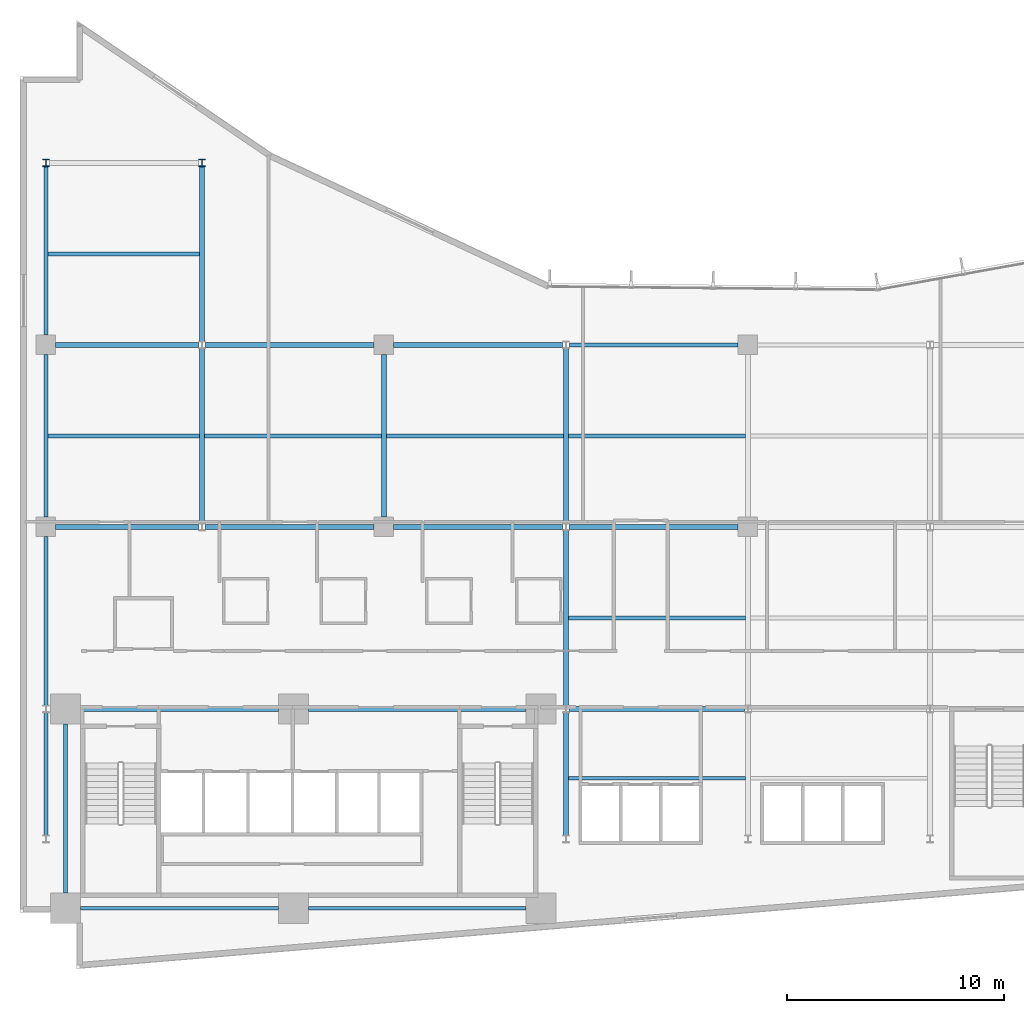
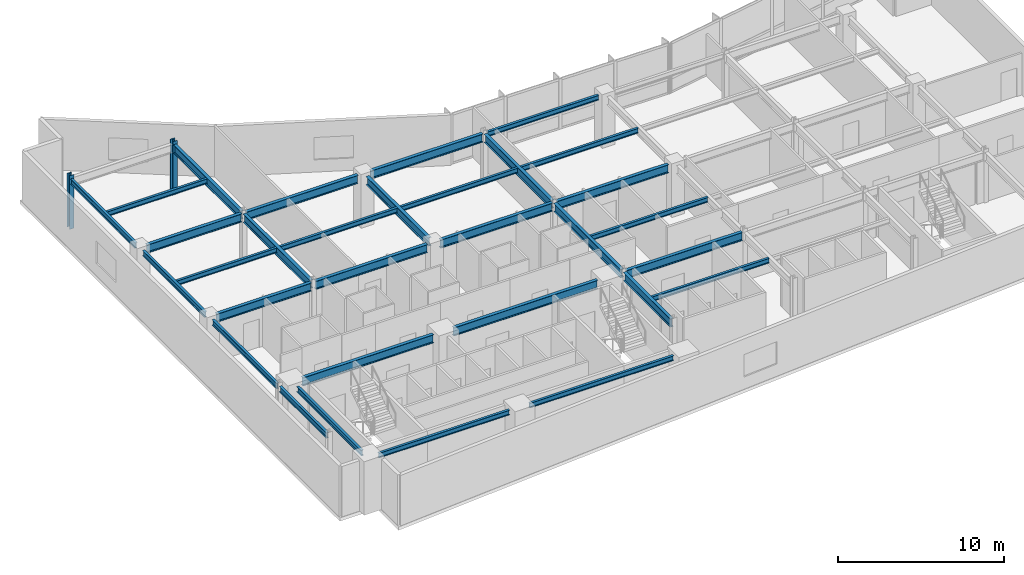
# One storey, part 3 of 18: 31 beams, 2 columns.
"""IFC4 building model written with IfcOpenShell, lengths in metres."""

from ifc_helpers import new_model, si_unit, direction, frame, origin, origin_2d, place, context, subcontext, project, spatial, i_section, extrude, material, material_profile, profile_set, type_object, element, save


model = new_model("IFC4")

# Units and contexts
model_context = context("Model", 3, precision=1e-05, world=origin(), true_north=direction((0.0, 1.0)))
body_context = subcontext(model_context, "Body", "Model", "MODEL_VIEW")
ifc_project = project(units=[si_unit("LENGTHUNIT", "METRE"), si_unit("AREAUNIT", "SQUARE_METRE"), si_unit("VOLUMEUNIT", "CUBIC_METRE"), si_unit("PLANEANGLEUNIT", "RADIAN"), si_unit("MASSUNIT", "GRAM", prefix="KILO")], contexts=[model_context])

# Site, building, storey
site_placement = place(None, origin())
site = spatial("IfcSite", under=ifc_project, at=site_placement, CompositionType="ELEMENT")
building_placement = place(site_placement, origin())
building = spatial("IfcBuilding", under=site, at=building_placement, Name="Varnakote Quay Hospital", CompositionType="ELEMENT")
storey_placement = place(building_placement, frame((0.0, 0.0, 69.89990234375)))
storey = spatial("IfcBuildingStorey", under=building, at=storey_placement, Name="L17", CompositionType="ELEMENT", Elevation=69.89990234375)

# Columns
ifc_material_1 = material(Name="Structural steel AS/NZS 3679.1 Grade 350 L0 (fy 340 MPa)", Category="steel")
ifc_material_profile_1 = material_profile(ifc_material_1, i_section(OverallWidth=0.31103515625, OverallDepth=0.326904296875, WebThickness=0.015625, FlangeThickness=0.02490234375, FilletRadius=0.0166015625, at=origin_2d()), Name="310UC158")
ifc_profile_set_1 = profile_set([ifc_material_profile_1], Name="Structural steel AS/NZS 3679.1 Grade 350 L0 (fy 340 MPa)")
column_type = type_object("IfcColumnType", Name="COL-STL-310UC158", PredefinedType="COLUMN", material=ifc_profile_set_1)
for number, where, z_axis, x_axis, name in (
    (1, (1.199951171875, 37.199951171875, 0.0), (0.0, 0.0, 1.0), (1.0, 0.0, 0.0), "L17 Structural Column C-1-37"),
    (2, (8.39990234375, 37.199951171875, 0.0), (0.0, 0.0, 1.0), (1.0, 0.0, 0.0), "L17 Structural Column C-8-37"),
):
    element("IfcColumn", number, at=place(storey_placement, frame(where, z_axis=z_axis, x_axis=x_axis)), inside=storey, type_object=column_type, Name=name, PredefinedType="COLUMN", context=body_context, shape_type="SweptSolid", body=[
        extrude(i_section(OverallWidth=0.31103515625, OverallDepth=0.326904296875, WebThickness=0.015625, FlangeThickness=0.02490234375, FilletRadius=0.0166015625, at=origin_2d()), origin(), (0.0, 0.0, 1.0), 3.9501953125),
    ])

# Beams
ifc_material_2 = material(Name="Structural steel AS/NZS 3679.1 Grade 350 L0 (fy 340 MPa)", Category="steel")
ifc_material_profile_2 = material_profile(ifc_material_2, i_section(OverallWidth=0.22900390625, OverallDepth=0.612060546875, WebThickness=0.011962890625, FlangeThickness=0.01953125, FilletRadius=0.013916015625, at=origin_2d()), Name="610UB125")
ifc_profile_set_2 = profile_set([ifc_material_profile_2], Name="Structural steel AS/NZS 3679.1 Grade 350 L0 (fy 340 MPa)")
beam_type_1 = type_object("IfcBeamType", Name="BM-STL-610UB125", PredefinedType="BEAM", material=ifc_profile_set_2)
beam_1_placement = place(storey_placement, frame((2.800048828125, 12.0, 3.404052734375), z_axis=(1.0, 0.0, 0.0), x_axis=(0.0, 1.0, 0.0)))
element("IfcBeam", 3, at=beam_1_placement, inside=storey, type_object=beam_type_1, Name="L17 Primary Floor Beam", PredefinedType="BEAM", context=body_context, shape_type="SweptSolid", body=[
    extrude(i_section(OverallWidth=0.22900390625, OverallDepth=0.612060546875, WebThickness=0.011962890625, FlangeThickness=0.01953125, FilletRadius=0.013916015625, at=origin_2d()), origin(), (0.0, 0.0, 1.0), 9.119873046875),
])
beam_2_placement = place(storey_placement, frame((13.320068359375, 12.0, 3.404052734375), z_axis=(1.0, 0.0, 0.0), x_axis=(0.0, 1.0, 0.0)))
element("IfcBeam", 4, at=beam_2_placement, inside=storey, type_object=beam_type_1, Name="L17 Primary Floor Beam", PredefinedType="BEAM", context=body_context, shape_type="SweptSolid", body=[
    extrude(i_section(OverallWidth=0.22900390625, OverallDepth=0.612060546875, WebThickness=0.011962890625, FlangeThickness=0.01953125, FilletRadius=0.013916015625, at=origin_2d()), origin(), (0.0, 0.0, 1.0), 10.030029296875),
])
beam_3_placement = place(storey_placement, frame((25.35546875, 12.0, 3.404052734375), z_axis=(1.0, 0.0, 0.0), x_axis=(0.0, 1.0, 0.0)))
element("IfcBeam", 5, at=beam_3_placement, inside=storey, type_object=beam_type_1, Name="L17 Primary Floor Beam", PredefinedType="BEAM", context=body_context, shape_type="SweptSolid", body=[
    extrude(i_section(OverallWidth=0.22900390625, OverallDepth=0.612060546875, WebThickness=0.011962890625, FlangeThickness=0.01953125, FilletRadius=0.013916015625, at=origin_2d()), origin(), (0.0, 0.0, 1.0), 8.089111328125),
])
beam_4_placement = place(storey_placement, frame((1.64990234375, 20.39990234375, 3.404052734375), z_axis=(1.0, 0.0, 0.0), x_axis=(0.0, 1.0, 0.0)))
element("IfcBeam", 6, at=beam_4_placement, inside=storey, type_object=beam_type_1, Name="L17 Primary Floor Beam", PredefinedType="BEAM", context=body_context, shape_type="SweptSolid", body=[
    extrude(i_section(OverallWidth=0.22900390625, OverallDepth=0.612060546875, WebThickness=0.011962890625, FlangeThickness=0.01953125, FilletRadius=0.013916015625, at=origin_2d()), origin(), (0.0, 0.0, 1.0), 6.594482421875),
])
beam_5_placement = place(storey_placement, frame((8.555419921875, 20.39990234375, 3.404052734375), z_axis=(1.0, 0.0, 0.0), x_axis=(0.0, 1.0, 0.0)))
element("IfcBeam", 7, at=beam_5_placement, inside=storey, type_object=beam_type_1, Name="L17 Primary Floor Beam", PredefinedType="BEAM", context=body_context, shape_type="SweptSolid", body=[
    extrude(i_section(OverallWidth=0.22900390625, OverallDepth=0.612060546875, WebThickness=0.011962890625, FlangeThickness=0.01953125, FilletRadius=0.013916015625, at=origin_2d()), origin(), (0.0, 0.0, 1.0), 7.794677734375),
])
for number, where, z_axis, x_axis, name in (
    (8, (17.25, 20.39990234375, 3.404052734375), (1.0, 0.0, 0.0), (0.0, 1.0, 0.0), "L17 Primary Floor Beam"),
    (9, (25.35546875, 20.39990234375, 3.404052734375), (1.0, 0.0, 0.0), (0.0, 1.0, 0.0), "L17 Primary Floor Beam"),
):
    element("IfcBeam", number, at=place(storey_placement, frame(where, z_axis=z_axis, x_axis=x_axis)), inside=storey, type_object=beam_type_1, Name=name, PredefinedType="BEAM", context=body_context, shape_type="SweptSolid", body=[
        extrude(i_section(OverallWidth=0.22900390625, OverallDepth=0.612060546875, WebThickness=0.011962890625, FlangeThickness=0.01953125, FilletRadius=0.013916015625, at=origin_2d()), origin(), (0.0, 0.0, 1.0), 7.79443359375),
    ])
beam_6_placement = place(storey_placement, frame((1.64990234375, 28.800048828125, 3.404052734375), z_axis=(1.0, 0.0, 0.0), x_axis=(0.0, 1.0, 0.0)))
element("IfcBeam", 10, at=beam_6_placement, inside=storey, type_object=beam_type_1, Name="L17 Primary Floor Beam", PredefinedType="BEAM", context=body_context, shape_type="SweptSolid", body=[
    extrude(i_section(OverallWidth=0.22900390625, OverallDepth=0.612060546875, WebThickness=0.011962890625, FlangeThickness=0.01953125, FilletRadius=0.013916015625, at=origin_2d()), origin(), (0.0, 0.0, 1.0), 6.594482421875),
])
beam_7_placement = place(storey_placement, frame((8.555419921875, 28.800048828125, 3.404052734375), z_axis=(1.0, 0.0, 0.0), x_axis=(0.0, 1.0, 0.0)))
element("IfcBeam", 11, at=beam_7_placement, inside=storey, type_object=beam_type_1, Name="L17 Primary Floor Beam", PredefinedType="BEAM", context=body_context, shape_type="SweptSolid", body=[
    extrude(i_section(OverallWidth=0.22900390625, OverallDepth=0.612060546875, WebThickness=0.011962890625, FlangeThickness=0.01953125, FilletRadius=0.013916015625, at=origin_2d()), origin(), (0.0, 0.0, 1.0), 7.794677734375),
])
beam_8_placement = place(storey_placement, frame((17.25, 28.800048828125, 3.404052734375), z_axis=(1.0, 0.0, 0.0), x_axis=(0.0, 1.0, 0.0)))
element("IfcBeam", 12, at=beam_8_placement, inside=storey, type_object=beam_type_1, Name="L17 Primary Floor Beam", PredefinedType="BEAM", context=body_context, shape_type="SweptSolid", body=[
    extrude(i_section(OverallWidth=0.22900390625, OverallDepth=0.612060546875, WebThickness=0.011962890625, FlangeThickness=0.01953125, FilletRadius=0.013916015625, at=origin_2d()), origin(), (0.0, 0.0, 1.0), 7.79443359375),
])
beam_9_placement = place(storey_placement, frame((8.39990234375, 20.5634765625, 3.404052734375), z_axis=(0.0, 1.0, 0.0), x_axis=(-1.0, 0.0, 0.0)))
element("IfcBeam", 13, at=beam_9_placement, inside=storey, type_object=beam_type_1, Name="L17 Primary Tie Beam", PredefinedType="BEAM", context=body_context, shape_type="SweptSolid", body=[
    extrude(i_section(OverallWidth=0.22900390625, OverallDepth=0.612060546875, WebThickness=0.011962890625, FlangeThickness=0.01953125, FilletRadius=0.013916015625, at=origin_2d()), origin(), (0.0, 0.0, 1.0), 8.072998046875),
])
beam_10_placement = place(storey_placement, frame((8.39990234375, 28.96337890625, 3.404052734375), z_axis=(0.0, 1.0, 0.0), x_axis=(-1.0, 0.0, 0.0)))
element("IfcBeam", 14, at=beam_10_placement, inside=storey, type_object=beam_type_1, Name="L17 Primary Tie Beam", PredefinedType="BEAM", context=body_context, shape_type="SweptSolid", body=[
    extrude(i_section(OverallWidth=0.22900390625, OverallDepth=0.612060546875, WebThickness=0.011962890625, FlangeThickness=0.01953125, FilletRadius=0.013916015625, at=origin_2d()), origin(), (0.0, 0.0, 1.0), 8.0732421875),
])
beam_11_placement = place(storey_placement, frame((16.800048828125, 20.85009765625, 3.404052734375), z_axis=(0.0, 1.0, 0.0), x_axis=(-1.0, 0.0, 0.0)))
element("IfcBeam", 15, at=beam_11_placement, inside=storey, type_object=beam_type_1, Name="L17 Primary Tie Beam", PredefinedType="BEAM", context=body_context, shape_type="SweptSolid", body=[
    extrude(i_section(OverallWidth=0.22900390625, OverallDepth=0.612060546875, WebThickness=0.011962890625, FlangeThickness=0.01953125, FilletRadius=0.013916015625, at=origin_2d()), origin(), (0.0, 0.0, 1.0), 7.5),
])
beam_12_placement = place(storey_placement, frame((25.199951171875, 6.16357421875, 3.404052734375), z_axis=(0.0, 1.0, 0.0), x_axis=(-1.0, 0.0, 0.0)))
element("IfcBeam", 16, at=beam_12_placement, inside=storey, type_object=beam_type_1, Name="L17 Primary Tie Beam", PredefinedType="BEAM", context=body_context, shape_type="SweptSolid", body=[
    extrude(i_section(OverallWidth=0.22900390625, OverallDepth=0.612060546875, WebThickness=0.011962890625, FlangeThickness=0.01953125, FilletRadius=0.013916015625, at=origin_2d()), origin(), (0.0, 0.0, 1.0), 5.6728515625),
])
for number, where, z_axis, x_axis, name in (
    (17, (25.199951171875, 12.16357421875, 3.404052734375), (0.0, 1.0, 0.0), (-1.0, 0.0, 0.0), "L17 Primary Tie Beam"),
    (18, (25.199951171875, 20.5634765625, 3.404052734375), (0.0, 1.0, 0.0), (-1.0, 0.0, 0.0), "L17 Primary Tie Beam"),
):
    element("IfcBeam", number, at=place(storey_placement, frame(where, z_axis=z_axis, x_axis=x_axis)), inside=storey, type_object=beam_type_1, Name=name, PredefinedType="BEAM", context=body_context, shape_type="SweptSolid", body=[
        extrude(i_section(OverallWidth=0.22900390625, OverallDepth=0.612060546875, WebThickness=0.011962890625, FlangeThickness=0.01953125, FilletRadius=0.013916015625, at=origin_2d()), origin(), (0.0, 0.0, 1.0), 8.072998046875),
    ])
ifc_material_3 = material(Name="Structural steel AS/NZS 3679.1 Grade 350 L0 (fy 340 MPa)", Category="steel")
ifc_material_profile_3 = material_profile(ifc_material_3, i_section(OverallWidth=0.1708984375, OverallDepth=0.35595703125, WebThickness=0.00732421875, FlangeThickness=0.011474609375, FilletRadius=0.011474609375, at=origin_2d()), Name="360UB50.7")
ifc_profile_set_3 = profile_set([ifc_material_profile_3], Name="Structural steel AS/NZS 3679.1 Grade 350 L0 (fy 340 MPa)")
beam_type_2 = type_object("IfcBeamType", Name="JST-STL-360UB50-7", PredefinedType="JOIST", material=ifc_profile_set_3)
for number, where, z_axis, x_axis, name in (
    (19, (25.314453125, 8.800048828125, 3.531982421875), (1.0, 0.0, 0.0), (0.0, 1.0, 0.0), "L17 Composite Floor Joist"),
    (20, (25.314453125, 16.199951171875, 3.531982421875), (1.0, 0.0, 0.0), (0.0, 1.0, 0.0), "L17 Composite Floor Joist"),
):
    element("IfcBeam", number, at=place(storey_placement, frame(where, z_axis=z_axis, x_axis=x_axis)), inside=storey, type_object=beam_type_2, Name=name, PredefinedType="JOIST", context=body_context, shape_type="SweptSolid", body=[
        extrude(i_section(OverallWidth=0.1708984375, OverallDepth=0.35595703125, WebThickness=0.00732421875, FlangeThickness=0.011474609375, FilletRadius=0.011474609375, at=origin_2d()), origin(), (0.0, 0.0, 1.0), 8.171142578125),
    ])
beam_13_placement = place(storey_placement, frame((1.2890625, 24.60009765625, 3.531982421875), z_axis=(1.0, 0.0, 0.0), x_axis=(0.0, 1.0, 0.0)))
element("IfcBeam", 21, at=beam_13_placement, inside=storey, type_object=beam_type_2, Name="L17 Composite Floor Joist", PredefinedType="JOIST", context=body_context, shape_type="SweptSolid", body=[
    extrude(i_section(OverallWidth=0.1708984375, OverallDepth=0.35595703125, WebThickness=0.00732421875, FlangeThickness=0.011474609375, FilletRadius=0.011474609375, at=origin_2d()), origin(), (0.0, 0.0, 1.0), 6.996337890625),
])
beam_14_placement = place(storey_placement, frame((8.514404296875, 24.60009765625, 3.531982421875), z_axis=(1.0, 0.0, 0.0), x_axis=(0.0, 1.0, 0.0)))
element("IfcBeam", 22, at=beam_14_placement, inside=storey, type_object=beam_type_2, Name="L17 Composite Floor Joist", PredefinedType="JOIST", context=body_context, shape_type="SweptSolid", body=[
    extrude(i_section(OverallWidth=0.1708984375, OverallDepth=0.35595703125, WebThickness=0.00732421875, FlangeThickness=0.011474609375, FilletRadius=0.011474609375, at=origin_2d()), origin(), (0.0, 0.0, 1.0), 8.171142578125),
])
beam_15_placement = place(storey_placement, frame((16.91455078125, 24.60009765625, 3.531982421875), z_axis=(1.0, 0.0, 0.0), x_axis=(0.0, 1.0, 0.0)))
element("IfcBeam", 23, at=beam_15_placement, inside=storey, type_object=beam_type_2, Name="L17 Composite Floor Joist", PredefinedType="JOIST", context=body_context, shape_type="SweptSolid", body=[
    extrude(i_section(OverallWidth=0.1708984375, OverallDepth=0.35595703125, WebThickness=0.00732421875, FlangeThickness=0.011474609375, FilletRadius=0.011474609375, at=origin_2d()), origin(), (0.0, 0.0, 1.0), 8.1708984375),
])
beam_16_placement = place(storey_placement, frame((25.314453125, 24.60009765625, 3.531982421875), z_axis=(1.0, 0.0, 0.0), x_axis=(0.0, 1.0, 0.0)))
element("IfcBeam", 24, at=beam_16_placement, inside=storey, type_object=beam_type_2, Name="L17 Composite Floor Joist", PredefinedType="JOIST", context=body_context, shape_type="SweptSolid", body=[
    extrude(i_section(OverallWidth=0.1708984375, OverallDepth=0.35595703125, WebThickness=0.00732421875, FlangeThickness=0.011474609375, FilletRadius=0.011474609375, at=origin_2d()), origin(), (0.0, 0.0, 1.0), 8.171142578125),
])
beam_17_placement = place(storey_placement, frame((1.2890625, 33.0, 3.531982421875), z_axis=(1.0, 0.0, 0.0), x_axis=(0.0, 1.0, 0.0)))
element("IfcBeam", 25, at=beam_17_placement, inside=storey, type_object=beam_type_2, Name="L17 Composite Floor Joist", PredefinedType="JOIST", context=body_context, shape_type="SweptSolid", body=[
    extrude(i_section(OverallWidth=0.1708984375, OverallDepth=0.35595703125, WebThickness=0.00732421875, FlangeThickness=0.011474609375, FilletRadius=0.011474609375, at=origin_2d()), origin(), (0.0, 0.0, 1.0), 6.996337890625),
])
ifc_material_4 = material(Name="Structural steel AS/NZS 3679.1 Grade 350 L0 (fy 340 MPa)", Category="steel")
ifc_material_profile_4 = material_profile(ifc_material_4, i_section(OverallWidth=0.172119140625, OverallDepth=0.35888671875, WebThickness=0.008056640625, FlangeThickness=0.012939453125, FilletRadius=0.011474609375, at=origin_2d()), Name="360UB56.7")
ifc_profile_set_4 = profile_set([ifc_material_profile_4], Name="Structural steel AS/NZS 3679.1 Grade 350 L0 (fy 340 MPa)")
beam_type_3 = type_object("IfcBeamType", Name="SPN-STL-360UB56-7", PredefinedType="SPANDREL", material=ifc_profile_set_4)
beam_18_placement = place(storey_placement, frame((2.800048828125, 2.800048828125, 3.530517578125), z_axis=(1.0, 0.0, 0.0), x_axis=(0.0, 1.0, 0.0)))
element("IfcBeam", 26, at=beam_18_placement, inside=storey, type_object=beam_type_3, Name="L17 Perimeter Spandrel Beam", PredefinedType="SPANDREL", context=body_context, shape_type="SweptSolid", body=[
    extrude(i_section(OverallWidth=0.172119140625, OverallDepth=0.35888671875, WebThickness=0.008056640625, FlangeThickness=0.012939453125, FilletRadius=0.011474609375, at=origin_2d()), origin(), (0.0, 0.0, 1.0), 9.119873046875),
])
beam_19_placement = place(storey_placement, frame((13.320068359375, 2.800048828125, 3.530517578125), z_axis=(1.0, 0.0, 0.0), x_axis=(0.0, 1.0, 0.0)))
element("IfcBeam", 27, at=beam_19_placement, inside=storey, type_object=beam_type_3, Name="L17 Perimeter Spandrel Beam", PredefinedType="SPANDREL", context=body_context, shape_type="SweptSolid", body=[
    extrude(i_section(OverallWidth=0.172119140625, OverallDepth=0.35888671875, WebThickness=0.008056640625, FlangeThickness=0.012939453125, FilletRadius=0.011474609375, at=origin_2d()), origin(), (0.0, 0.0, 1.0), 10.030029296875),
])
beam_20_placement = place(storey_placement, frame((25.35546875, 28.800048828125, 3.530517578125), z_axis=(1.0, 0.0, 0.0), x_axis=(0.0, 1.0, 0.0)))
element("IfcBeam", 28, at=beam_20_placement, inside=storey, type_object=beam_type_3, Name="L17 Perimeter Spandrel Beam", PredefinedType="SPANDREL", context=body_context, shape_type="SweptSolid", body=[
    extrude(i_section(OverallWidth=0.172119140625, OverallDepth=0.35888671875, WebThickness=0.008056640625, FlangeThickness=0.012939453125, FilletRadius=0.011474609375, at=origin_2d()), origin(), (0.0, 0.0, 1.0), 7.79443359375),
])
ifc_material_5 = material(Name="Structural steel AS/NZS 3679.1 Grade 350 L0 (fy 340 MPa)", Category="steel")
ifc_material_profile_5 = material_profile(ifc_material_5, i_section(OverallWidth=0.177978515625, OverallDepth=0.403076171875, WebThickness=0.007568359375, FlangeThickness=0.010986328125, FilletRadius=0.011474609375, at=origin_2d()), Name="410UB53.7")
ifc_profile_set_5 = profile_set([ifc_material_profile_5], Name="Structural steel AS/NZS 3679.1 Grade 350 L0 (fy 340 MPa)")
beam_type_4 = type_object("IfcBeamType", Name="SPN-STL-410UB53-7", PredefinedType="SPANDREL", material=ifc_profile_set_5)
beam_21_placement = place(storey_placement, frame((1.199951171875, 6.16357421875, 3.508544921875), z_axis=(0.0, 1.0, 0.0), x_axis=(-1.0, 0.0, 0.0)))
element("IfcBeam", 29, at=beam_21_placement, inside=storey, type_object=beam_type_4, Name="L17 Perimeter Spandrel Beam", PredefinedType="SPANDREL", context=body_context, shape_type="SweptSolid", body=[
    extrude(i_section(OverallWidth=0.177978515625, OverallDepth=0.403076171875, WebThickness=0.007568359375, FlangeThickness=0.010986328125, FilletRadius=0.011474609375, at=origin_2d()), origin(), (0.0, 0.0, 1.0), 5.6728515625),
])
beam_22_placement = place(storey_placement, frame((1.199951171875, 12.16357421875, 3.508544921875), z_axis=(0.0, 1.0, 0.0), x_axis=(-1.0, 0.0, 0.0)))
element("IfcBeam", 30, at=beam_22_placement, inside=storey, type_object=beam_type_4, Name="L17 Perimeter Spandrel Beam", PredefinedType="SPANDREL", context=body_context, shape_type="SweptSolid", body=[
    extrude(i_section(OverallWidth=0.177978515625, OverallDepth=0.403076171875, WebThickness=0.007568359375, FlangeThickness=0.010986328125, FilletRadius=0.011474609375, at=origin_2d()), origin(), (0.0, 0.0, 1.0), 7.786376953125),
])
beam_23_placement = place(storey_placement, frame((1.199951171875, 20.85009765625, 3.508544921875), z_axis=(0.0, 1.0, 0.0), x_axis=(-1.0, 0.0, 0.0)))
element("IfcBeam", 31, at=beam_23_placement, inside=storey, type_object=beam_type_4, Name="L17 Perimeter Spandrel Beam", PredefinedType="SPANDREL", context=body_context, shape_type="SweptSolid", body=[
    extrude(i_section(OverallWidth=0.177978515625, OverallDepth=0.403076171875, WebThickness=0.007568359375, FlangeThickness=0.010986328125, FilletRadius=0.011474609375, at=origin_2d()), origin(), (0.0, 0.0, 1.0), 7.5),
])
beam_24_placement = place(storey_placement, frame((1.199951171875, 29.25, 3.508544921875), z_axis=(0.0, 1.0, 0.0), x_axis=(-1.0, 0.0, 0.0)))
element("IfcBeam", 32, at=beam_24_placement, inside=storey, type_object=beam_type_4, Name="L17 Perimeter Spandrel Beam", PredefinedType="SPANDREL", context=body_context, shape_type="SweptSolid", body=[
    extrude(i_section(OverallWidth=0.177978515625, OverallDepth=0.403076171875, WebThickness=0.007568359375, FlangeThickness=0.010986328125, FilletRadius=0.011474609375, at=origin_2d()), origin(), (0.0, 0.0, 1.0), 7.78662109375),
])
beam_25_placement = place(storey_placement, frame((2.10009765625, 3.5, 3.508544921875), z_axis=(0.0, 1.0, 0.0), x_axis=(-1.0, 0.0, 0.0)))
element("IfcBeam", 33, at=beam_25_placement, inside=storey, type_object=beam_type_4, Name="L17 Perimeter Spandrel Beam", PredefinedType="SPANDREL", context=body_context, shape_type="SweptSolid", body=[
    extrude(i_section(OverallWidth=0.177978515625, OverallDepth=0.403076171875, WebThickness=0.007568359375, FlangeThickness=0.010986328125, FilletRadius=0.011474609375, at=origin_2d()), origin(), (0.0, 0.0, 1.0), 7.800048828125),
])

save(model, "model.ifc")
